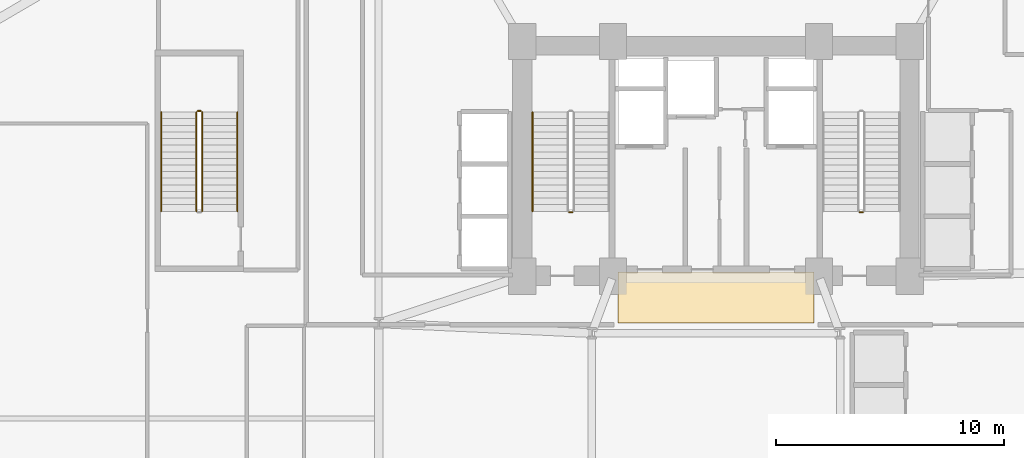
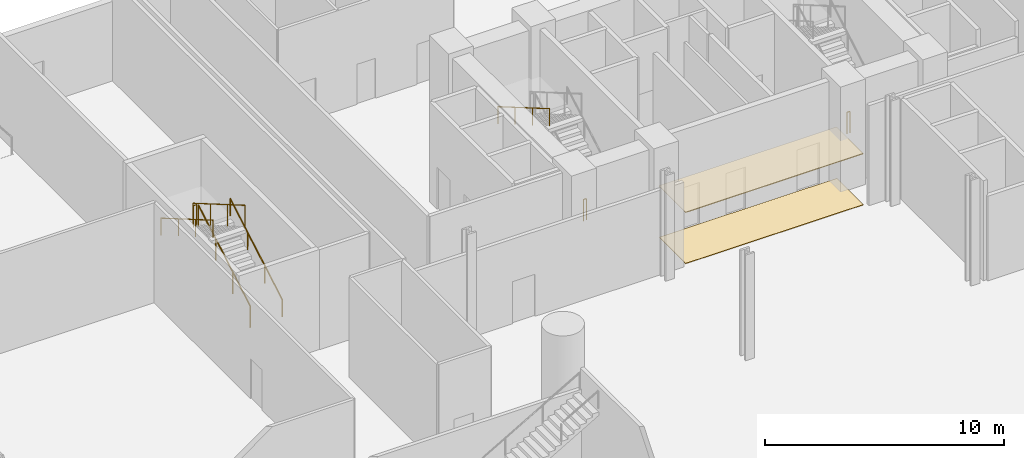
# One storey, part 22 of 26: 8 railings, 2 coverings.
"""IFC4 building model written with IfcOpenShell, lengths in metres."""

from ifc_helpers import new_model, si_unit, direction, frame, origin, origin_2d, place, context, subcontext, project, spatial, rectangle, circle, extrude, source, transform, mapped, material, layer, layer_set, type_object, element, save


model = new_model("IFC4")

# Units and contexts
model_context = context("Model", 3, precision=1e-05, world=origin(), true_north=direction((0.0, 1.0)))
body_context = subcontext(model_context, "Body", "Model", "MODEL_VIEW")
ifc_project = project(units=[si_unit("LENGTHUNIT", "METRE"), si_unit("AREAUNIT", "SQUARE_METRE"), si_unit("VOLUMEUNIT", "CUBIC_METRE"), si_unit("PLANEANGLEUNIT", "RADIAN"), si_unit("MASSUNIT", "GRAM", prefix="KILO")], contexts=[model_context])

# Site, building, storey
site_placement = place(None, origin())
site = spatial("IfcSite", under=ifc_project, at=site_placement, CompositionType="ELEMENT")
building_placement = place(site_placement, origin())
building = spatial("IfcBuilding", under=site, at=building_placement, Name="Varnelok Gate Tower", CompositionType="ELEMENT")
storey_placement = place(building_placement, origin())
storey = spatial("IfcBuildingStorey", under=building, at=storey_placement, Name="L00", CompositionType="ELEMENT", Elevation=0.0)

# Railings
ifc_material_1 = material(Name="Brushed Stainless Steel AISI 316", Category="steel")
railing_type_1 = type_object("IfcRailingType", Name="RL-HANDRAIL-900", PredefinedType="HANDRAIL", material=ifc_material_1)
railing_1_placement = place(storey_placement, frame((31.14990234375, 35.949951171875, 2.86865234375)))
element("IfcRailing", 1, at=railing_1_placement, inside=storey, type_object=railing_type_1, Name="L00 ST-1 stair handrail 2", PredefinedType="HANDRAIL", context=body_context, shape_type="SweptSolid", body=[
    extrude(circle(Radius=0.02392578125, at=origin_2d()), frame((0.0, 0.0, 0.8759765625), z_axis=(0.0, -0.864311530196, 0.502956835891), x_axis=(1.0, 0.0, 0.0)), (0.0, 0.0, 1.0), 5.03271484375),
    extrude(circle(Radius=0.02099609375, at=origin_2d()), origin(), (0.0, 0.0, 1.0), 0.851806640625),
    extrude(circle(Radius=0.02099609375, at=origin_2d()), frame((0.0, -1.449951171875, 0.84375)), (0.0, 0.0, 1.0), 0.851806640625),
    extrude(circle(Radius=0.02099609375, at=origin_2d()), frame((0.0, -2.89990234375, 1.6875)), (0.0, 0.0, 1.0), 0.851806640625),
    extrude(circle(Radius=0.02099609375, at=origin_2d()), frame((0.0, -4.349853515625, 2.53125)), (0.0, 0.0, 1.0), 0.851806640625),
])
railing_2_placement = place(storey_placement, frame((18.199951171875, 31.60009765625, 0.168701171875)))
element("IfcRailing", 2, at=railing_2_placement, inside=storey, type_object=railing_type_1, Name="L00 ST-3 stair handrail 1", PredefinedType="HANDRAIL", context=body_context, shape_type="SweptSolid", body=[
    extrude(circle(Radius=0.02392578125, at=origin_2d()), frame((0.0, 0.0, 0.8759765625), z_axis=(0.0, 0.864311530196, 0.502956835891), x_axis=(-1.0, 0.0, 0.0)), (0.0, 0.0, 1.0), 5.03271484375),
    extrude(circle(Radius=0.02099609375, at=origin_2d()), origin(), (0.0, 0.0, 1.0), 0.851806640625),
    extrude(circle(Radius=0.02099609375, at=origin_2d()), frame((0.0, 1.449951171875, 0.84375)), (0.0, 0.0, 1.0), 0.851806640625),
    extrude(circle(Radius=0.02099609375, at=origin_2d()), frame((0.0, 2.89990234375, 1.6875)), (0.0, 0.0, 1.0), 0.851806640625),
    extrude(circle(Radius=0.02099609375, at=origin_2d()), frame((0.0, 4.349853515625, 2.53125)), (0.0, 0.0, 1.0), 0.851806640625),
])
railing_3_placement = place(storey_placement, frame((14.85009765625, 35.949951171875, 2.86865234375)))
element("IfcRailing", 3, at=railing_3_placement, inside=storey, type_object=railing_type_1, Name="L00 ST-3 stair handrail 2", PredefinedType="HANDRAIL", context=body_context, shape_type="SweptSolid", body=[
    extrude(circle(Radius=0.02392578125, at=origin_2d()), frame((0.0, 0.0, 0.8759765625), z_axis=(0.0, -0.864311530196, 0.502956835891), x_axis=(1.0, 0.0, 0.0)), (0.0, 0.0, 1.0), 5.03271484375),
    extrude(circle(Radius=0.02099609375, at=origin_2d()), origin(), (0.0, 0.0, 1.0), 0.851806640625),
    extrude(circle(Radius=0.02099609375, at=origin_2d()), frame((0.0, -1.449951171875, 0.84375)), (0.0, 0.0, 1.0), 0.851806640625),
    extrude(circle(Radius=0.02099609375, at=origin_2d()), frame((0.0, -2.89990234375, 1.6875)), (0.0, 0.0, 1.0), 0.851806640625),
    extrude(circle(Radius=0.02099609375, at=origin_2d()), frame((0.0, -4.349853515625, 2.53125)), (0.0, 0.0, 1.0), 0.851806640625),
])
ifc_material_2 = material(Name="Galvanized Steel Grade S350GD", Category="steel")
railing_type_2 = type_object("IfcRailingType", Name="RL-STAIR-GUARD1120", PredefinedType="GUARDRAIL", material=ifc_material_2)
for number, where, name in (
    (4, (32.89990234375, 31.550048828125, 0.0), "L00 ST-1 stair guard 4"),
    (5, (45.64990234375, 31.550048828125, 0.0), "L00 ST-2 stair guard 4"),
):
    element("IfcRailing", number, at=place(storey_placement, frame(where)), inside=storey, type_object=railing_type_2, Name=name, PredefinedType="GUARDRAIL", context=body_context, shape_type="SweptSolid", body=[
        extrude(circle(Radius=0.02392578125, at=origin_2d()), frame((0.0, 0.0, 1.09619140625), z_axis=(-1.0, 0.0, 0.0), x_axis=(0.0, -1.0, 0.0)), (0.0, 0.0, 1.0), 0.14990234375),
        extrude(circle(Radius=0.02099609375, at=origin_2d()), origin(), (0.0, 0.0, 1.0), 1.072021484375),
        extrude(circle(Radius=0.02099609375, at=origin_2d()), frame((-0.14990234375, 0.0, 0.0)), (0.0, 0.0, 1.0), 1.072021484375),
    ])
railing_4_placement = place(storey_placement, frame((16.64990234375, 31.60009765625, 0.168701171875)))
element("IfcRailing", 6, at=railing_4_placement, inside=storey, type_object=railing_type_2, Name="L00 ST-3 stair guard 1", PredefinedType="GUARDRAIL", context=body_context, shape_type="SweptSolid", body=[
    extrude(circle(Radius=0.02392578125, at=origin_2d()), frame((0.0, 0.0, 1.09619140625), z_axis=(0.0, 0.864311530196, 0.502956835891), x_axis=(-1.0, 0.0, 0.0)), (0.0, 0.0, 1.0), 5.03271484375),
    extrude(circle(Radius=0.02099609375, at=origin_2d()), origin(), (0.0, 0.0, 1.0), 1.072021484375),
    extrude(circle(Radius=0.02099609375, at=origin_2d()), frame((0.0, 1.449951171875, 0.84375)), (0.0, 0.0, 1.0), 1.072021484375),
    extrude(circle(Radius=0.02099609375, at=origin_2d()), frame((0.0, 2.89990234375, 1.6875)), (0.0, 0.0, 1.0), 1.072021484375),
    extrude(circle(Radius=0.02099609375, at=origin_2d()), frame((0.0, 4.349853515625, 2.53125)), (0.0, 0.0, 1.0), 1.072021484375),
])
railing_5_placement = place(storey_placement, frame((16.60009765625, 36.0, 2.699951171875)))
element("IfcRailing", 7, at=railing_5_placement, inside=storey, type_object=railing_type_2, Name="L00 ST-3 stair guard 2", PredefinedType="GUARDRAIL", context=body_context, shape_type="SweptSolid", body=[
    extrude(circle(Radius=0.02392578125, at=origin_2d()), frame((0.0, 0.0, 1.09619140625), z_axis=(-1.0, 0.0, 0.0), x_axis=(0.0, -1.0, 0.0)), (0.0, 0.0, 1.0), 0.150146484375),
    extrude(circle(Radius=0.02099609375, at=origin_2d()), origin(), (0.0, 0.0, 1.0), 1.072021484375),
    extrude(circle(Radius=0.02099609375, at=origin_2d()), frame((-0.150146484375, 0.0, 0.0)), (0.0, 0.0, 1.0), 1.072021484375),
])
railing_6_placement = place(storey_placement, frame((16.39990234375, 35.949951171875, 2.86865234375)))
element("IfcRailing", 8, at=railing_6_placement, inside=storey, type_object=railing_type_2, Name="L00 ST-3 stair guard 3", PredefinedType="GUARDRAIL", context=body_context, shape_type="SweptSolid", body=[
    extrude(circle(Radius=0.02392578125, at=origin_2d()), frame((0.0, 0.0, 1.09619140625), z_axis=(0.0, -0.864311530196, 0.502956835891), x_axis=(1.0, 0.0, 0.0)), (0.0, 0.0, 1.0), 5.03271484375),
    extrude(circle(Radius=0.02099609375, at=origin_2d()), origin(), (0.0, 0.0, 1.0), 1.072021484375),
    extrude(circle(Radius=0.02099609375, at=origin_2d()), frame((0.0, -1.449951171875, 0.84375)), (0.0, 0.0, 1.0), 1.072021484375),
    extrude(circle(Radius=0.02099609375, at=origin_2d()), frame((0.0, -2.89990234375, 1.6875)), (0.0, 0.0, 1.0), 1.072021484375),
    extrude(circle(Radius=0.02099609375, at=origin_2d()), frame((0.0, -4.349853515625, 2.53125)), (0.0, 0.0, 1.0), 1.072021484375),
])

# Coverings
ifc_material_3 = material(Name="Honed Travertine Stone Flooring", Category="masonry")
ifc_layer_1 = layer(ifc_material_3, 0.02490234375)
ifc_layer_set_1 = layer_set([ifc_layer_1], Name="Honed Travertine Stone Flooring")
covering_type_1 = type_object("IfcCoveringType", Name="COV-FLOR-STONE", PredefinedType="FLOORING", material=ifc_layer_set_1)
shared_shape_1 = source(origin(), body_context, "Body", "SweptSolid", [
    extrude(rectangle(XDim=8.60009765625, YDim=2.219970703125, at=origin_2d()), origin(), (0.0, 0.0, 1.0), 0.02490234375),
])
covering_1_placement = place(storey_placement, frame((39.199951171875, 27.800048828125, 0.0), z_axis=(0.0, 0.0, 1.0), x_axis=(1.0, 0.0, 0.0)))
element("IfcCovering", 9, at=covering_1_placement, inside=storey, type_object=covering_type_1, Name="L00 Core Gallery Stone Flooring", PredefinedType="FLOORING", context=body_context, shape_type="MappedRepresentation", body=[
    mapped(shared_shape_1, transform((0.0, 0.0, 0.0), scale=1.0)),
])
ifc_material_4 = material(Name="Mineral Fiber Acoustic Ceiling Tile")
ifc_layer_2 = layer(ifc_material_4, 0.0400390625)
ifc_layer_set_2 = layer_set([ifc_layer_2], Name="Mineral Fiber Acoustic Ceiling Tile")
covering_type_2 = type_object("IfcCoveringType", Name="COV-CEIL-ACOUST", PredefinedType="CEILING", material=ifc_layer_set_2)
shared_shape_2 = source(origin(), body_context, "Body", "SweptSolid", [
    extrude(rectangle(XDim=8.60009765625, YDim=2.239990234375, at=origin_2d()), origin(), (0.0, 0.0, 1.0), 0.0400390625),
])
covering_2_placement = place(storey_placement, frame((39.199951171875, 27.820068359375, 2.60009765625), z_axis=(0.0, 0.0, 1.0), x_axis=(1.0, 0.0, 0.0)))
element("IfcCovering", 10, at=covering_2_placement, inside=storey, type_object=covering_type_2, Name="L00 Core Gallery Acoustic Ceiling", PredefinedType="CEILING", context=body_context, shape_type="MappedRepresentation", body=[
    mapped(shared_shape_2, transform((0.0, 0.0, 0.0), scale=1.0)),
])

save(model, "model.ifc")
